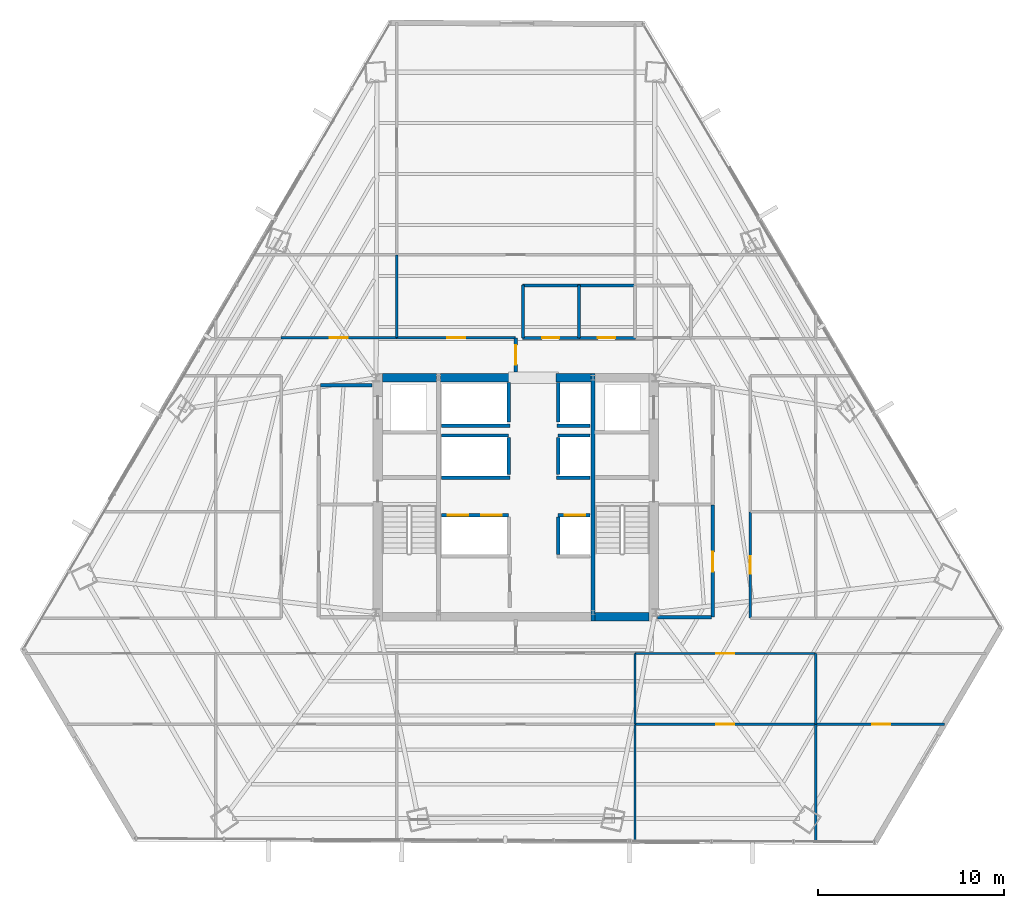
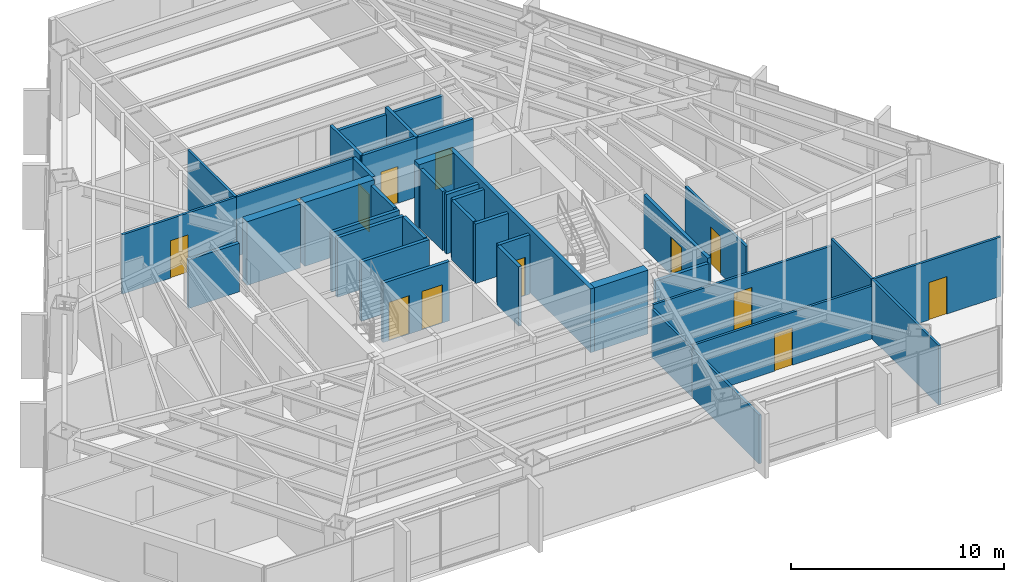
# One storey, part 31 of 37: 39 walls, 13 doors, 13 openings.
"""IFC4 building model written with IfcOpenShell, lengths in metres."""

from ifc_helpers import new_model, si_unit, direction, frame, frame_2d, origin, place, context, subcontext, project, spatial, rectangle, extrude, material, layer, layer_set, type_object, element, fill, save


model = new_model("IFC4")

# Units and contexts
model_context = context("Model", 3, precision=1e-05, world=origin(), true_north=direction((0.0, 1.0)))
body_context = subcontext(model_context, "Body", "Model", "MODEL_VIEW")
ifc_project = project(units=[si_unit("LENGTHUNIT", "METRE"), si_unit("AREAUNIT", "SQUARE_METRE"), si_unit("VOLUMEUNIT", "CUBIC_METRE"), si_unit("PLANEANGLEUNIT", "RADIAN"), si_unit("MASSUNIT", "GRAM", prefix="KILO")], contexts=[model_context])

# Site, building, storey
site_placement = place(None, origin())
site = spatial("IfcSite", under=ifc_project, at=site_placement, CompositionType="ELEMENT")
building_placement = place(site_placement, origin())
building = spatial("IfcBuilding", under=site, at=building_placement, Name="Caelisora Broadcast Tower", CompositionType="ELEMENT")
storey_placement = place(building_placement, frame((0.0, 0.0, 101.75)))
storey = spatial("IfcBuildingStorey", under=building, at=storey_placement, Name="L26", CompositionType="ELEMENT", Elevation=101.75)

# Walls
ifc_material_1 = material(Name="Concrete 50 MPa (AS 3600 S50)", Category="concrete")
ifc_layer_1 = layer(ifc_material_1, 0.449951171875, Name="Concrete 50 MPa (AS 3600 S50)")
ifc_layer_set_1 = layer_set([ifc_layer_1], Name="Concrete 50 MPa (AS 3600 S50)")
wall_type_1 = type_object("IfcWallType", Name="CW5", PredefinedType="SHEAR", material=ifc_layer_set_1)
for number, where, z_axis, x_axis, name in (
    (1, (42.260009765625, 17.175048828125, 0.0), (0.0, 0.0, 1.0), (1.0, 0.0, 0.0), "L26 core shear wall CW5"),
    (2, (30.840087890625, 30.0, 0.0), (0.0, 0.0, 1.0), (1.0, 0.0, 0.0), "L26 core shear wall CW5"),
):
    element("IfcWall", number, at=place(storey_placement, frame(where, z_axis=z_axis, x_axis=x_axis)), inside=storey, type_object=wall_type_1, Name=name, PredefinedType="SHEAR", context=body_context, shape_type="SweptSolid", body=[
        extrude(rectangle(XDim=2.89990234375, YDim=0.449951171875, at=frame_2d((1.449951171875, 0.0))), origin(), (0.0, 0.0, 1.0), 3.64990234375),
    ])
wall_1_placement = place(storey_placement, frame((33.9599609375, 30.0, 0.0), z_axis=(0.0, 0.0, 1.0), x_axis=(1.0, 0.0, 0.0)))
element("IfcWall", 3, at=wall_1_placement, inside=storey, type_object=wall_type_1, Name="L26 core shear wall CW5", PredefinedType="SHEAR", context=body_context, shape_type="SweptSolid", body=[
    extrude(rectangle(XDim=3.780029296875, YDim=0.449951171875, at=frame_2d((1.89013671875, 0.0))), origin(), (0.0, 0.0, 1.0), 3.64990234375),
])
wall_2_placement = place(storey_placement, frame((40.159912109375, 30.0, 0.0), z_axis=(0.0, 0.0, 1.0), x_axis=(1.0, 0.0, 0.0)))
element("IfcWall", 4, at=wall_2_placement, inside=storey, type_object=wall_type_1, Name="L26 core shear wall CW5", PredefinedType="SHEAR", context=body_context, shape_type="SweptSolid", body=[
    extrude(rectangle(XDim=1.880126953125, YDim=0.449951171875, at=frame_2d((0.93994140625, 0.0))), origin(), (0.0, 0.0, 1.0), 3.64990234375),
])
ifc_layer_2 = layer(ifc_material_1, 0.219970703125, Name="Concrete 50 MPa (AS 3600 S50)")
ifc_layer_set_2 = layer_set([ifc_layer_2], Name="Concrete 50 MPa (AS 3600 S50)")
wall_type_2 = type_object("IfcWallType", Name="CW7", PredefinedType="SHEAR", material=ifc_layer_set_2)
wall_3_placement = place(storey_placement, frame((42.14990234375, 16.949951171875, 0.0), z_axis=(0.0, 0.0, 1.0), x_axis=(0.0, 1.0, 0.0)))
element("IfcWall", 5, at=wall_3_placement, inside=storey, type_object=wall_type_2, Name="L26 core shear wall CW7", PredefinedType="SHEAR", context=body_context, shape_type="SweptSolid", body=[
    extrude(rectangle(XDim=13.275146484375, YDim=0.219970703125, at=frame_2d((6.6376953125, 0.0))), origin(), (0.0, 0.0, 1.0), 3.64990234375),
])

# Wall, openings, doors
ifc_material_2 = material(Name="Fire-Rated Gypsum Shaft and Compartment Wall", Category="gypsum")
ifc_layer_3 = layer(ifc_material_2, 0.179931640625, Name="Fire-Rated Gypsum Shaft and Compartment Wall")
ifc_layer_set_3 = layer_set([ifc_layer_3], Name="Fire-Rated Gypsum Shaft and Compartment Wall")
wall_type_3 = type_object("IfcWallType", Name="PW2", PredefinedType="PARTITIONING", material=ifc_layer_set_3)
wall_4_placement = place(storey_placement, frame((34.02001953125, 22.6201171875, 0.0), z_axis=(0.0, 0.0, 1.0), x_axis=(1.0, 0.0, 0.0)))
wall_4 = element("IfcWall", 6, at=wall_4_placement, inside=storey, type_object=wall_type_3, Name="L26 fire compartment wall PW2", PredefinedType="PARTITIONING", context=body_context, shape_type="SweptSolid", body=[
    extrude(rectangle(XDim=3.60009765625, YDim=0.179931640625, at=frame_2d((1.800048828125, 0.0))), origin(), (0.0, 0.0, 1.0), 3.39990234375),
])
opening_1_placement = place(wall_4_placement, frame((0.320068359375, 0.0, 0.0)))
opening_1 = element("IfcOpeningElement", 7, at=opening_1_placement, cuts=wall_4, Name="Opening LD01", PredefinedType="OPENING", context=body_context, shape_type="SweptSolid", body=[
    extrude(rectangle(XDim=1.10009765625, YDim=2.199951171875, at=frame_2d((0.550048828125, 1.10009765625))), frame((0.0, 0.10205078125, 0.0), z_axis=(0.0, -1.0, 0.0), x_axis=(1.0, 0.0, 0.0)), (0.0, 0.0, 1.0), 0.203857421875),
])
opening_2_placement = place(wall_4_placement, frame((2.1201171875, 0.0, 0.0)))
opening_2 = element("IfcOpeningElement", 8, at=opening_2_placement, cuts=wall_4, Name="Opening LD01", PredefinedType="OPENING", context=body_context, shape_type="SweptSolid", body=[
    extrude(rectangle(XDim=1.10009765625, YDim=2.199951171875, at=frame_2d((0.550048828125, 1.10009765625))), frame((0.0, 0.10205078125, 0.0), z_axis=(0.0, -1.0, 0.0), x_axis=(1.0, 0.0, 0.0)), (0.0, 0.0, 1.0), 0.203857421875),
])
ifc_material_3 = material(Name="Stainless Steel Centre-Parting Lift Landing Door", Category="steel")
door_type_1 = type_object("IfcDoorType", Name="LD01", OperationType="NOTDEFINED", PredefinedType="DOOR", material=ifc_material_3)
door_1_placement = place(opening_1_placement, origin())
door_1 = element("IfcDoor", 9, at=door_1_placement, inside=storey, type_object=door_type_1, Name="L26 door LD01 (L26-LD-PLL1)", OperationType="SLIDING_TO_LEFT", OverallHeight=2.199951171875, OverallWidth=1.10009765625, PredefinedType="DOOR", context=body_context, shape_type="SweptSolid", body=[
    extrude(rectangle(XDim=1.10009765625, YDim=2.199951171875, at=frame_2d((0.550048828125, 1.10009765625))), frame((0.0, 0.02490234375, 0.0), z_axis=(0.0, -1.0, 0.0), x_axis=(1.0, 0.0, 0.0)), (0.0, 0.0, 1.0), 0.050048828125),
])
fill(opening_1, door_1)
door_2_placement = place(opening_2_placement, origin())
door_2 = element("IfcDoor", 10, at=door_2_placement, inside=storey, type_object=door_type_1, Name="L26 door LD01 (L26-LD-PLL2)", OperationType="SLIDING_TO_RIGHT", OverallHeight=2.199951171875, OverallWidth=1.10009765625, PredefinedType="DOOR", context=body_context, shape_type="SweptSolid", body=[
    extrude(rectangle(XDim=1.10009765625, YDim=2.199951171875, at=frame_2d((0.550048828125, 1.10009765625))), frame((0.0, 0.02490234375, 0.0), z_axis=(0.0, -1.0, 0.0), x_axis=(1.0, 0.0, 0.0)), (0.0, 0.0, 1.0), 0.050048828125),
])
fill(opening_2, door_2)

# Wall, opening, door
wall_5_placement = place(storey_placement, frame((40.280029296875, 22.6201171875, 0.0), z_axis=(0.0, 0.0, 1.0), x_axis=(1.0, 0.0, 0.0)))
wall_5 = element("IfcWall", 11, at=wall_5_placement, inside=storey, type_object=wall_type_3, Name="L26 fire compartment wall PW2", PredefinedType="PARTITIONING", context=body_context, shape_type="SweptSolid", body=[
    extrude(rectangle(XDim=1.699951171875, YDim=0.179931640625, at=frame_2d((0.85009765625, 0.0))), origin(), (0.0, 0.0, 1.0), 3.39990234375),
])
opening_3_placement = place(wall_5_placement, frame((0.35009765625, 0.0, 0.0)))
opening_3 = element("IfcOpeningElement", 12, at=opening_3_placement, cuts=wall_5, Name="Opening LD01", PredefinedType="OPENING", context=body_context, shape_type="SweptSolid", body=[
    extrude(rectangle(XDim=1.10009765625, YDim=2.199951171875, at=frame_2d((0.550048828125, 1.10009765625))), frame((0.0, 0.10205078125, 0.0), z_axis=(0.0, -1.0, 0.0), x_axis=(1.0, 0.0, 0.0)), (0.0, 0.0, 1.0), 0.203857421875),
])
door_3_placement = place(opening_3_placement, origin())
door_3 = element("IfcDoor", 13, at=door_3_placement, inside=storey, type_object=door_type_1, Name="L26 door LD01 (L26-LD-PLL3)", OperationType="SLIDING_TO_LEFT", OverallHeight=2.199951171875, OverallWidth=1.10009765625, PredefinedType="DOOR", context=body_context, shape_type="SweptSolid", body=[
    extrude(rectangle(XDim=1.10009765625, YDim=2.199951171875, at=frame_2d((0.550048828125, 1.10009765625))), frame((0.0, 0.02490234375, 0.0), z_axis=(0.0, -1.0, 0.0), x_axis=(1.0, 0.0, 0.0)), (0.0, 0.0, 1.0), 0.050048828125),
])
fill(opening_3, door_3)

# Walls
wall_6_placement = place(storey_placement, frame((40.280029296875, 20.52001953125, 0.0), z_axis=(0.0, 0.0, 1.0), x_axis=(0.0, 1.0, 0.0)))
element("IfcWall", 14, at=wall_6_placement, inside=storey, type_object=wall_type_3, Name="L26 fire compartment wall PW2", PredefinedType="PARTITIONING", context=body_context, shape_type="SweptSolid", body=[
    extrude(rectangle(XDim=2.0, YDim=0.179931640625, at=frame_2d((1.0, 0.0))), origin(), (0.0, 0.0, 1.0), 3.39990234375),
])
wall_7_placement = place(storey_placement, frame((34.02001953125, 26.89990234375, 0.0), z_axis=(0.0, 0.0, 1.0), x_axis=(1.0, 0.0, 0.0)))
element("IfcWall", 15, at=wall_7_placement, inside=storey, type_object=wall_type_3, Name="L26 fire compartment wall PW2", PredefinedType="PARTITIONING", context=body_context, shape_type="SweptSolid", body=[
    extrude(rectangle(XDim=3.60009765625, YDim=0.179931640625, at=frame_2d((1.800048828125, 0.0))), origin(), (0.0, 0.0, 1.0), 3.39990234375),
])
wall_8_placement = place(storey_placement, frame((40.280029296875, 26.89990234375, 0.0), z_axis=(0.0, 0.0, 1.0), x_axis=(1.0, 0.0, 0.0)))
element("IfcWall", 16, at=wall_8_placement, inside=storey, type_object=wall_type_3, Name="L26 fire compartment wall PW2", PredefinedType="PARTITIONING", context=body_context, shape_type="SweptSolid", body=[
    extrude(rectangle(XDim=1.699951171875, YDim=0.179931640625, at=frame_2d((0.85009765625, 0.0))), origin(), (0.0, 0.0, 1.0), 3.39990234375),
])
for number, where, z_axis, x_axis, name in (
    (17, (37.6201171875, 24.800048828125, 0.0), (0.0, 0.0, 1.0), (0.0, 1.0, 0.0), "L26 fire compartment wall PW2"),
    (18, (40.280029296875, 24.800048828125, 0.0), (0.0, 0.0, 1.0), (0.0, 1.0, 0.0), "L26 fire compartment wall PW2"),
):
    element("IfcWall", number, at=place(storey_placement, frame(where, z_axis=z_axis, x_axis=x_axis)), inside=storey, type_object=wall_type_3, Name=name, PredefinedType="PARTITIONING", context=body_context, shape_type="SweptSolid", body=[
        extrude(rectangle(XDim=2.0, YDim=0.179931640625, at=frame_2d((1.0, 0.0))), origin(), (0.0, 0.0, 1.0), 3.39990234375),
    ])
wall_9_placement = place(storey_placement, frame((34.02001953125, 24.639892578125, 0.0), z_axis=(0.0, 0.0, 1.0), x_axis=(1.0, 0.0, 0.0)))
element("IfcWall", 19, at=wall_9_placement, inside=storey, type_object=wall_type_3, Name="L26 fire compartment wall PW2", PredefinedType="PARTITIONING", context=body_context, shape_type="SweptSolid", body=[
    extrude(rectangle(XDim=3.679931640625, YDim=0.179931640625, at=frame_2d((1.83984375, 0.0))), origin(), (0.0, 0.0, 1.0), 3.39990234375),
])
wall_10_placement = place(storey_placement, frame((40.199951171875, 24.639892578125, 0.0), z_axis=(0.0, 0.0, 1.0), x_axis=(1.0, 0.0, 0.0)))
element("IfcWall", 20, at=wall_10_placement, inside=storey, type_object=wall_type_3, Name="L26 fire compartment wall PW2", PredefinedType="PARTITIONING", context=body_context, shape_type="SweptSolid", body=[
    extrude(rectangle(XDim=1.780029296875, YDim=0.179931640625, at=frame_2d((0.89013671875, 0.0))), origin(), (0.0, 0.0, 1.0), 3.39990234375),
])
wall_11_placement = place(storey_placement, frame((34.02001953125, 27.419921875, 0.0), z_axis=(0.0, 0.0, 1.0), x_axis=(1.0, 0.0, 0.0)))
element("IfcWall", 21, at=wall_11_placement, inside=storey, type_object=wall_type_3, Name="L26 fire compartment wall PW2", PredefinedType="PARTITIONING", context=body_context, shape_type="SweptSolid", body=[
    extrude(rectangle(XDim=3.659912109375, YDim=0.179931640625, at=frame_2d((1.830078125, 0.0))), origin(), (0.0, 0.0, 1.0), 3.39990234375),
])
wall_12_placement = place(storey_placement, frame((40.219970703125, 27.419921875, 0.0), z_axis=(0.0, 0.0, 1.0), x_axis=(1.0, 0.0, 0.0)))
element("IfcWall", 22, at=wall_12_placement, inside=storey, type_object=wall_type_3, Name="L26 fire compartment wall PW2", PredefinedType="PARTITIONING", context=body_context, shape_type="SweptSolid", body=[
    extrude(rectangle(XDim=1.760009765625, YDim=0.179931640625, at=frame_2d((0.8798828125, 0.0))), origin(), (0.0, 0.0, 1.0), 3.39990234375),
])
for number, where, z_axis, x_axis, name in (
    (23, (37.6201171875, 27.639892578125, 0.0), (0.0, 0.0, 1.0), (0.0, 1.0, 0.0), "L26 fire compartment wall PW2"),
    (24, (40.280029296875, 27.639892578125, 0.0), (0.0, 0.0, 1.0), (0.0, 1.0, 0.0), "L26 fire compartment wall PW2"),
):
    element("IfcWall", number, at=place(storey_placement, frame(where, z_axis=z_axis, x_axis=x_axis)), inside=storey, type_object=wall_type_3, Name=name, PredefinedType="PARTITIONING", context=body_context, shape_type="SweptSolid", body=[
        extrude(rectangle(XDim=2.110107421875, YDim=0.179931640625, at=frame_2d((1.05517578125, 0.0))), origin(), (0.0, 0.0, 1.0), 3.39990234375),
    ])
wall_13_placement = place(storey_placement, frame((27.52001953125, 29.60009765625, 0.0), z_axis=(0.0, 0.0, 1.0), x_axis=(1.0, 0.0, 0.0)))
element("IfcWall", 25, at=wall_13_placement, inside=storey, type_object=wall_type_3, Name="L26 fire compartment wall PW2", PredefinedType="PARTITIONING", context=body_context, shape_type="SweptSolid", body=[
    extrude(rectangle(XDim=2.760009765625, YDim=0.179931640625, at=frame_2d((1.3798828125, 0.0))), origin(), (0.0, 0.0, 1.0), 2.78271484375),
])

# Wall, opening, door
wall_14_placement = place(storey_placement, frame((48.580078125, 17.14990234375, 0.0), z_axis=(0.0, 0.0, 1.0), x_axis=(0.0, 1.0, 0.0)))
wall_14 = element("IfcWall", 26, at=wall_14_placement, inside=storey, type_object=wall_type_3, Name="L26 fire compartment wall PW2", PredefinedType="PARTITIONING", context=body_context, shape_type="SweptSolid", body=[
    extrude(rectangle(XDim=6.030029296875, YDim=0.179931640625, at=frame_2d((3.01513671875, 0.0))), origin(), (0.0, 0.0, 1.0), 3.0263671875),
])
opening_4_placement = place(wall_14_placement, frame((2.449951171875, 0.0, 0.0)))
opening_4 = element("IfcOpeningElement", 27, at=opening_4_placement, cuts=wall_14, Name="Opening FD02", PredefinedType="OPENING", context=body_context, shape_type="SweptSolid", body=[
    extrude(rectangle(XDim=1.050048828125, YDim=2.14990234375, at=frame_2d((0.52490234375, 1.074951171875))), frame((0.0, 0.10205078125, 0.0), z_axis=(0.0, -1.0, 0.0), x_axis=(1.0, 0.0, 0.0)), (0.0, 0.0, 1.0), 0.203857421875),
])
ifc_material_4 = material(Name="Single-Leaf Steel Fire Lobby Door", Category="steel")
door_type_2 = type_object("IfcDoorType", Name="FD02", OperationType="NOTDEFINED", PredefinedType="DOOR", material=ifc_material_4)
door_4_placement = place(opening_4_placement, origin())
door_4 = element("IfcDoor", 28, at=door_4_placement, inside=storey, type_object=door_type_2, Name="L26 door FD02 (L26-DR-P14D1)", OperationType="SINGLE_SWING_LEFT", OverallHeight=2.14990234375, OverallWidth=1.050048828125, PredefinedType="DOOR", context=body_context, shape_type="SweptSolid", body=[
    extrude(rectangle(XDim=1.050048828125, YDim=2.14990234375, at=frame_2d((0.52490234375, 1.074951171875))), frame((0.0, 0.02490234375, 0.0), z_axis=(0.0, -1.0, 0.0), x_axis=(1.0, 0.0, 0.0)), (0.0, 0.0, 1.0), 0.050048828125),
])
fill(opening_4, door_4)

# Wall
wall_15_placement = place(storey_placement, frame((45.6201171875, 17.14990234375, 0.0), z_axis=(0.0, 0.0, 1.0), x_axis=(1.0, 0.0, 0.0)))
element("IfcWall", 29, at=wall_15_placement, inside=storey, type_object=wall_type_3, Name="L26 fire compartment wall PW2", PredefinedType="PARTITIONING", context=body_context, shape_type="SweptSolid", body=[
    extrude(rectangle(XDim=2.89990234375, YDim=0.179931640625, at=frame_2d((1.449951171875, 0.0))), origin(), (0.0, 0.0, 1.0), 2.78271484375),
])

# Wall, opening, door
wall_16_placement = place(storey_placement, frame((38.0, 30.320068359375, 0.0), z_axis=(0.0, 0.0, 1.0), x_axis=(0.0, 1.0, 0.0)))
wall_16 = element("IfcWall", 30, at=wall_16_placement, inside=storey, type_object=wall_type_3, Name="L26 fire compartment wall PW2", PredefinedType="PARTITIONING", context=body_context, shape_type="SweptSolid", body=[
    extrude(rectangle(XDim=1.824951171875, YDim=0.179931640625, at=frame_2d((0.91259765625, 0.0))), origin(), (0.0, 0.0, 1.0), 3.39990234375),
])
opening_5_placement = place(wall_16_placement, frame((0.387939453125, 0.0, 0.0)))
opening_5 = element("IfcOpeningElement", 31, at=opening_5_placement, cuts=wall_16, Name="Opening FD02", PredefinedType="OPENING", context=body_context, shape_type="SweptSolid", body=[
    extrude(rectangle(XDim=1.050048828125, YDim=2.14990234375, at=frame_2d((0.52490234375, 1.074951171875))), frame((0.0, 0.10205078125, 0.0), z_axis=(0.0, -1.0, 0.0), x_axis=(1.0, 0.0, 0.0)), (0.0, 0.0, 1.0), 0.203857421875),
])
door_5_placement = place(opening_5_placement, origin())
door_5 = element("IfcDoor", 32, at=door_5_placement, inside=storey, type_object=door_type_2, Name="L26 door FD02 (L26-DR-P77D1)", OperationType="SINGLE_SWING_RIGHT", OverallHeight=2.14990234375, OverallWidth=1.050048828125, PredefinedType="DOOR", context=body_context, shape_type="SweptSolid", body=[
    extrude(rectangle(XDim=1.050048828125, YDim=2.14990234375, at=frame_2d((0.52490234375, 1.074951171875))), frame((0.0, 0.02490234375, 0.0), z_axis=(0.0, -1.0, 0.0), x_axis=(1.0, 0.0, 0.0)), (0.0, 0.0, 1.0), 0.050048828125),
])
fill(opening_5, door_5)

ifc_material_5 = material(Name="Acoustic Steel-Stud Plasterboard Partition", Category="gypsum")
ifc_layer_4 = layer(ifc_material_5, 0.1298828125, Name="Acoustic Steel-Stud Plasterboard Partition")
ifc_layer_set_4 = layer_set([ifc_layer_4], Name="Acoustic Steel-Stud Plasterboard Partition")
wall_type_4 = type_object("IfcWallType", Name="PW3", PredefinedType="PARTITIONING", material=ifc_layer_set_4)
wall_17_placement = place(storey_placement, frame((44.405029296875, 15.199951171875, 0.0), z_axis=(0.0, 0.0, 1.0), x_axis=(1.0, 0.0, 0.0)))
wall_17 = element("IfcWall", 33, at=wall_17_placement, inside=storey, type_object=wall_type_4, Name="L26 internal partition PW3", PredefinedType="PARTITIONING", context=body_context, shape_type="SweptSolid", body=[
    extrude(rectangle(XDim=9.68994140625, YDim=0.1298828125, at=frame_2d((4.844970703125, 0.0))), origin(), (0.0, 0.0, 1.0), 3.0263671875),
])
opening_6_placement = place(wall_17_placement, frame((4.364990234375, 0.0, 0.0)))
opening_6 = element("IfcOpeningElement", 34, at=opening_6_placement, cuts=wall_17, Name="Opening D01", PredefinedType="OPENING", context=body_context, shape_type="SweptSolid", body=[
    extrude(rectangle(XDim=0.9599609375, YDim=2.14990234375, at=frame_2d((0.47998046875, 1.074951171875))), frame((0.0, 0.076904296875, 0.0), z_axis=(0.0, -1.0, 0.0), x_axis=(1.0, 0.0, 0.0)), (0.0, 0.0, 1.0), 0.15380859375),
])
ifc_material_6 = material(Name="Solid-Core Timber Acoustic Office Door", Category="wood")
door_type_3 = type_object("IfcDoorType", Name="D01", OperationType="NOTDEFINED", PredefinedType="DOOR", material=ifc_material_6)
door_6_placement = place(opening_6_placement, origin())
door_6 = element("IfcDoor", 35, at=door_6_placement, inside=storey, type_object=door_type_3, Name="L26 door D01 (L26-DR-P33D1)", OperationType="SINGLE_SWING_LEFT", OverallHeight=2.14990234375, OverallWidth=0.9599609375, PredefinedType="DOOR", context=body_context, shape_type="SweptSolid", body=[
    extrude(rectangle(XDim=0.9599609375, YDim=2.14990234375, at=frame_2d((0.47998046875, 1.074951171875))), frame((0.0, 0.02490234375, 0.0), z_axis=(0.0, -1.0, 0.0), x_axis=(1.0, 0.0, 0.0)), (0.0, 0.0, 1.0), 0.050048828125),
])
fill(opening_6, door_6)

wall_18_placement = place(storey_placement, frame((44.405029296875, 11.39990234375, 0.0), z_axis=(0.0, 0.0, 1.0), x_axis=(1.0, 0.0, 0.0)))
wall_18 = element("IfcWall", 36, at=wall_18_placement, inside=storey, type_object=wall_type_4, Name="L26 internal partition PW3", PredefinedType="PARTITIONING", context=body_context, shape_type="SweptSolid", body=[
    extrude(rectangle(XDim=9.68994140625, YDim=0.1298828125, at=frame_2d((4.844970703125, 0.0))), origin(), (0.0, 0.0, 1.0), 3.0263671875),
])
opening_7_placement = place(wall_18_placement, frame((4.364990234375, 0.0, 0.0)))
opening_7 = element("IfcOpeningElement", 37, at=opening_7_placement, cuts=wall_18, Name="Opening D01", PredefinedType="OPENING", context=body_context, shape_type="SweptSolid", body=[
    extrude(rectangle(XDim=0.9599609375, YDim=2.14990234375, at=frame_2d((0.47998046875, 1.074951171875))), frame((0.0, 0.076904296875, 0.0), z_axis=(0.0, -1.0, 0.0), x_axis=(1.0, 0.0, 0.0)), (0.0, 0.0, 1.0), 0.15380859375),
])
door_7_placement = place(opening_7_placement, origin())
door_7 = element("IfcDoor", 38, at=door_7_placement, inside=storey, type_object=door_type_3, Name="L26 door D01 (L26-DR-P35D1)", OperationType="SINGLE_SWING_LEFT", OverallHeight=2.14990234375, OverallWidth=0.9599609375, PredefinedType="DOOR", context=body_context, shape_type="SweptSolid", body=[
    extrude(rectangle(XDim=0.9599609375, YDim=2.14990234375, at=frame_2d((0.47998046875, 1.074951171875))), frame((0.0, 0.02490234375, 0.0), z_axis=(0.0, -1.0, 0.0), x_axis=(1.0, 0.0, 0.0)), (0.0, 0.0, 1.0), 0.050048828125),
])
fill(opening_7, door_7)

wall_19_placement = place(storey_placement, frame((54.10498046875, 11.39990234375, 0.0), z_axis=(0.0, 0.0, 1.0), x_axis=(1.0, 0.0, 0.0)))
wall_19 = element("IfcWall", 39, at=wall_19_placement, inside=storey, type_object=wall_type_4, Name="L26 internal partition PW3", PredefinedType="PARTITIONING", context=body_context, shape_type="SweptSolid", body=[
    extrude(rectangle(XDim=6.9111328125, YDim=0.1298828125, at=frame_2d((3.45556640625, 0.0))), origin(), (0.0, 0.0, 1.0), 3.39990234375),
])
opening_8_placement = place(wall_19_placement, frame((3.032958984375, 0.0, 0.0)))
opening_8 = element("IfcOpeningElement", 40, at=opening_8_placement, cuts=wall_19, Name="Opening D01", PredefinedType="OPENING", context=body_context, shape_type="SweptSolid", body=[
    extrude(rectangle(XDim=0.9599609375, YDim=2.14990234375, at=frame_2d((0.47998046875, 1.074951171875))), frame((0.0, 0.076904296875, 0.0), z_axis=(0.0, -1.0, 0.0), x_axis=(1.0, 0.0, 0.0)), (0.0, 0.0, 1.0), 0.15380859375),
])
door_8_placement = place(opening_8_placement, origin())
door_8 = element("IfcDoor", 41, at=door_8_placement, inside=storey, type_object=door_type_3, Name="L26 door D01 (L26-DR-P45D1)", OperationType="SINGLE_SWING_RIGHT", OverallHeight=2.14990234375, OverallWidth=0.9599609375, PredefinedType="DOOR", context=body_context, shape_type="SweptSolid", body=[
    extrude(rectangle(XDim=0.9599609375, YDim=2.14990234375, at=frame_2d((0.47998046875, 1.074951171875))), frame((0.0, 0.02490234375, 0.0), z_axis=(0.0, -1.0, 0.0), x_axis=(1.0, 0.0, 0.0)), (0.0, 0.0, 1.0), 0.050048828125),
])
fill(opening_8, door_8)

# Wall
wall_20_placement = place(storey_placement, frame((54.10009765625, 5.091064453125, 0.0), z_axis=(0.0, 0.0, 1.0), x_axis=(0.0, 1.0, 0.0)))
element("IfcWall", 42, at=wall_20_placement, inside=storey, type_object=wall_type_4, Name="L26 internal partition PW3", PredefinedType="PARTITIONING", context=body_context, shape_type="SweptSolid", body=[
    extrude(rectangle(XDim=6.303955078125, YDim=0.1298828125, at=frame_2d((3.15185546875, 0.0))), origin(), (0.0, 0.0, 1.0), 3.39990234375),
])

# Wall, opening, door
wall_21_placement = place(storey_placement, frame((31.60498046875, 32.14990234375, 0.0), z_axis=(0.0, 0.0, 1.0), x_axis=(1.0, 0.0, 0.0)))
wall_21 = element("IfcWall", 43, at=wall_21_placement, inside=storey, type_object=wall_type_4, Name="L26 internal partition PW3", PredefinedType="PARTITIONING", context=body_context, shape_type="SweptSolid", body=[
    extrude(rectangle(XDim=6.39013671875, YDim=0.1298828125, at=frame_2d((3.195068359375, 0.0))), origin(), (0.0, 0.0, 1.0), 3.39990234375),
])
opening_9_placement = place(wall_21_placement, frame((2.715087890625, 0.0, 0.0)))
opening_9 = element("IfcOpeningElement", 44, at=opening_9_placement, cuts=wall_21, Name="Opening D01", PredefinedType="OPENING", context=body_context, shape_type="SweptSolid", body=[
    extrude(rectangle(XDim=0.9599609375, YDim=2.14990234375, at=frame_2d((0.47998046875, 1.074951171875))), frame((0.0, 0.076904296875, 0.0), z_axis=(0.0, -1.0, 0.0), x_axis=(1.0, 0.0, 0.0)), (0.0, 0.0, 1.0), 0.15380859375),
])
door_9_placement = place(opening_9_placement, origin())
door_9 = element("IfcDoor", 45, at=door_9_placement, inside=storey, type_object=door_type_3, Name="L26 door D01 (L26-DR-P47D1)", OperationType="SINGLE_SWING_LEFT", OverallHeight=2.14990234375, OverallWidth=0.9599609375, PredefinedType="DOOR", context=body_context, shape_type="SweptSolid", body=[
    extrude(rectangle(XDim=0.9599609375, YDim=2.14990234375, at=frame_2d((0.47998046875, 1.074951171875))), frame((0.0, 0.02490234375, 0.0), z_axis=(0.0, -1.0, 0.0), x_axis=(1.0, 0.0, 0.0)), (0.0, 0.0, 1.0), 0.050048828125),
])
fill(opening_9, door_9)

# Wall
wall_22_placement = place(storey_placement, frame((44.39990234375, 5.13525390625, 0.0), z_axis=(0.0, 0.0, 1.0), x_axis=(0.0, 1.0, 0.0)))
element("IfcWall", 46, at=wall_22_placement, inside=storey, type_object=wall_type_4, Name="L26 internal partition PW3", PredefinedType="PARTITIONING", context=body_context, shape_type="SweptSolid", body=[
    extrude(rectangle(XDim=6.259765625, YDim=0.1298828125, at=frame_2d((3.1298828125, 0.0))), origin(), (0.0, 0.0, 1.0), 2.78271484375),
])

# Wall, opening, door
wall_23_placement = place(storey_placement, frame((25.405029296875, 32.14990234375, 0.0), z_axis=(0.0, 0.0, 1.0), x_axis=(1.0, 0.0, 0.0)))
wall_23 = element("IfcWall", 47, at=wall_23_placement, inside=storey, type_object=wall_type_4, Name="L26 internal partition PW3", PredefinedType="PARTITIONING", context=body_context, shape_type="SweptSolid", body=[
    extrude(rectangle(XDim=6.18994140625, YDim=0.1298828125, at=frame_2d((3.094970703125, 0.0))), origin(), (0.0, 0.0, 1.0), 3.39990234375),
])
opening_10_placement = place(wall_23_placement, frame((2.614990234375, 0.0, 0.0)))
opening_10 = element("IfcOpeningElement", 48, at=opening_10_placement, cuts=wall_23, Name="Opening D01", PredefinedType="OPENING", context=body_context, shape_type="SweptSolid", body=[
    extrude(rectangle(XDim=0.9599609375, YDim=2.14990234375, at=frame_2d((0.47998046875, 1.074951171875))), frame((0.0, 0.076904296875, 0.0), z_axis=(0.0, -1.0, 0.0), x_axis=(1.0, 0.0, 0.0)), (0.0, 0.0, 1.0), 0.15380859375),
])
door_10_placement = place(opening_10_placement, origin())
door_10 = element("IfcDoor", 49, at=door_10_placement, inside=storey, type_object=door_type_3, Name="L26 door D01 (L26-DR-P54D1)", OperationType="SINGLE_SWING_LEFT", OverallHeight=2.14990234375, OverallWidth=0.9599609375, PredefinedType="DOOR", context=body_context, shape_type="SweptSolid", body=[
    extrude(rectangle(XDim=0.9599609375, YDim=2.14990234375, at=frame_2d((0.47998046875, 1.074951171875))), frame((0.0, 0.02490234375, 0.0), z_axis=(0.0, -1.0, 0.0), x_axis=(1.0, 0.0, 0.0)), (0.0, 0.0, 1.0), 0.050048828125),
])
fill(opening_10, door_10)

wall_24_placement = place(storey_placement, frame((50.60009765625, 17.10498046875, 0.0), z_axis=(0.0, 0.0, 1.0), x_axis=(0.0, 1.0, 0.0)))
wall_24 = element("IfcWall", 50, at=wall_24_placement, inside=storey, type_object=wall_type_4, Name="L26 internal partition PW3", PredefinedType="PARTITIONING", context=body_context, shape_type="SweptSolid", body=[
    extrude(rectangle(XDim=5.68994140625, YDim=0.1298828125, at=frame_2d((2.844970703125, 0.0))), origin(), (0.0, 0.0, 1.0), 3.0263671875),
])
opening_11_placement = place(wall_24_placement, frame((2.364990234375, 0.0, 0.0)))
opening_11 = element("IfcOpeningElement", 51, at=opening_11_placement, cuts=wall_24, Name="Opening D01", PredefinedType="OPENING", context=body_context, shape_type="SweptSolid", body=[
    extrude(rectangle(XDim=0.9599609375, YDim=2.14990234375, at=frame_2d((0.47998046875, 1.074951171875))), frame((0.0, 0.076904296875, 0.0), z_axis=(0.0, -1.0, 0.0), x_axis=(1.0, 0.0, 0.0)), (0.0, 0.0, 1.0), 0.15380859375),
])
door_11_placement = place(opening_11_placement, origin())
door_11 = element("IfcDoor", 52, at=door_11_placement, inside=storey, type_object=door_type_3, Name="L26 door D01 (L26-DR-P57D1)", OperationType="SINGLE_SWING_LEFT", OverallHeight=2.14990234375, OverallWidth=0.9599609375, PredefinedType="DOOR", context=body_context, shape_type="SweptSolid", body=[
    extrude(rectangle(XDim=0.9599609375, YDim=2.14990234375, at=frame_2d((0.47998046875, 1.074951171875))), frame((0.0, 0.02490234375, 0.0), z_axis=(0.0, -1.0, 0.0), x_axis=(1.0, 0.0, 0.0)), (0.0, 0.0, 1.0), 0.050048828125),
])
fill(opening_11, door_11)

# Walls
wall_25_placement = place(storey_placement, frame((31.60009765625, 32.155029296875, 0.0), z_axis=(0.0, 0.0, 1.0), x_axis=(0.0, 1.0, 0.0)))
element("IfcWall", 53, at=wall_25_placement, inside=storey, type_object=wall_type_4, Name="L26 internal partition PW3", PredefinedType="PARTITIONING", context=body_context, shape_type="SweptSolid", body=[
    extrude(rectangle(XDim=4.43994140625, YDim=0.1298828125, at=frame_2d((2.219970703125, 0.0))), origin(), (0.0, 0.0, 1.0), 3.39990234375),
])
wall_26_placement = place(storey_placement, frame((44.39990234375, 11.405029296875, 0.0), z_axis=(0.0, 0.0, 1.0), x_axis=(0.0, 1.0, 0.0)))
element("IfcWall", 54, at=wall_26_placement, inside=storey, type_object=wall_type_4, Name="L26 internal partition PW3", PredefinedType="PARTITIONING", context=body_context, shape_type="SweptSolid", body=[
    extrude(rectangle(XDim=3.7900390625, YDim=0.1298828125, at=frame_2d((1.89501953125, 0.0))), origin(), (0.0, 0.0, 1.0), 2.78271484375),
])
wall_27_placement = place(storey_placement, frame((54.10009765625, 11.405029296875, 0.0), z_axis=(0.0, 0.0, 1.0), x_axis=(0.0, 1.0, 0.0)))
element("IfcWall", 55, at=wall_27_placement, inside=storey, type_object=wall_type_4, Name="L26 internal partition PW3", PredefinedType="PARTITIONING", context=body_context, shape_type="SweptSolid", body=[
    extrude(rectangle(XDim=3.7900390625, YDim=0.1298828125, at=frame_2d((1.89501953125, 0.0))), origin(), (0.0, 0.0, 1.0), 3.39990234375),
])

# Wall, opening, door
ifc_material_7 = material(Name="Moisture-Resistant Wet Plumbing Service Wall", Category="gypsum")
ifc_layer_5 = layer(ifc_material_7, 0.159912109375, Name="Moisture-Resistant Wet Plumbing Service Wall")
ifc_layer_set_5 = layer_set([ifc_layer_5], Name="Moisture-Resistant Wet Plumbing Service Wall")
wall_type_5 = type_object("IfcWallType", Name="PW4", PredefinedType="PLUMBINGWALL", material=ifc_layer_set_5)
wall_28_placement = place(storey_placement, frame((38.375, 32.14990234375, 0.0), z_axis=(0.0, 0.0, 1.0), x_axis=(1.0, 0.0, 0.0)))
wall_28 = element("IfcWall", 56, at=wall_28_placement, inside=storey, type_object=wall_type_5, Name="L26 wet plumbing wall PW4", PredefinedType="PLUMBINGWALL", context=body_context, shape_type="SweptSolid", body=[
    extrude(rectangle(XDim=3.050048828125, YDim=0.159912109375, at=frame_2d((1.52490234375, 0.0))), origin(), (0.0, 0.0, 1.0), 3.39990234375),
])
opening_12_placement = place(wall_28_placement, frame((1.034912109375, 0.0, 0.0)))
opening_12 = element("IfcOpeningElement", 57, at=opening_12_placement, cuts=wall_28, Name="Opening D03", PredefinedType="OPENING", context=body_context, shape_type="SweptSolid", body=[
    extrude(rectangle(XDim=0.919921875, YDim=2.10009765625, at=frame_2d((0.4599609375, 1.050048828125))), frame((0.0, 0.092041015625, 0.0), z_axis=(0.0, -1.0, 0.0), x_axis=(1.0, 0.0, 0.0)), (0.0, 0.0, 1.0), 0.183837890625),
])
ifc_material_8 = material(Name="Laminate Moisture-Resistant Amenity WC Door", Category="wood")
door_type_4 = type_object("IfcDoorType", Name="D03", OperationType="NOTDEFINED", PredefinedType="DOOR", material=ifc_material_8)
door_12_placement = place(opening_12_placement, origin())
door_12 = element("IfcDoor", 58, at=door_12_placement, inside=storey, type_object=door_type_4, Name="L26 door D03 (L26-DR-P16D1)", OperationType="SINGLE_SWING_RIGHT", OverallHeight=2.10009765625, OverallWidth=0.919921875, PredefinedType="DOOR", context=body_context, shape_type="SweptSolid", body=[
    extrude(rectangle(XDim=0.919921875, YDim=2.10009765625, at=frame_2d((0.4599609375, 1.050048828125))), frame((0.0, 0.02490234375, 0.0), z_axis=(0.0, -1.0, 0.0), x_axis=(1.0, 0.0, 0.0)), (0.0, 0.0, 1.0), 0.050048828125),
])
fill(opening_12, door_12)

wall_29_placement = place(storey_placement, frame((41.375, 32.14990234375, 0.0), z_axis=(0.0, 0.0, 1.0), x_axis=(1.0, 0.0, 0.0)))
wall_29 = element("IfcWall", 59, at=wall_29_placement, inside=storey, type_object=wall_type_5, Name="L26 wet plumbing wall PW4", PredefinedType="PLUMBINGWALL", context=body_context, shape_type="SweptSolid", body=[
    extrude(rectangle(XDim=3.050048828125, YDim=0.159912109375, at=frame_2d((1.52490234375, 0.0))), origin(), (0.0, 0.0, 1.0), 3.39990234375),
])
opening_13_placement = place(wall_29_placement, frame((1.034912109375, 0.0, 0.0)))
opening_13 = element("IfcOpeningElement", 60, at=opening_13_placement, cuts=wall_29, Name="Opening D03", PredefinedType="OPENING", context=body_context, shape_type="SweptSolid", body=[
    extrude(rectangle(XDim=0.919921875, YDim=2.10009765625, at=frame_2d((0.4599609375, 1.050048828125))), frame((0.0, 0.092041015625, 0.0), z_axis=(0.0, -1.0, 0.0), x_axis=(1.0, 0.0, 0.0)), (0.0, 0.0, 1.0), 0.183837890625),
])
door_13_placement = place(opening_13_placement, origin())
door_13 = element("IfcDoor", 61, at=door_13_placement, inside=storey, type_object=door_type_4, Name="L26 door D03 (L26-DR-P17D1)", OperationType="SINGLE_SWING_LEFT", OverallHeight=2.10009765625, OverallWidth=0.919921875, PredefinedType="DOOR", context=body_context, shape_type="SweptSolid", body=[
    extrude(rectangle(XDim=0.919921875, YDim=2.10009765625, at=frame_2d((0.4599609375, 1.050048828125))), frame((0.0, 0.02490234375, 0.0), z_axis=(0.0, -1.0, 0.0), x_axis=(1.0, 0.0, 0.0)), (0.0, 0.0, 1.0), 0.050048828125),
])
fill(opening_13, door_13)

# Walls
for number, where, z_axis, x_axis, name in (
    (62, (38.375, 34.949951171875, 0.0), (0.0, 0.0, 1.0), (1.0, 0.0, 0.0), "L26 wet plumbing wall PW4"),
    (63, (41.375, 34.949951171875, 0.0), (0.0, 0.0, 1.0), (1.0, 0.0, 0.0), "L26 wet plumbing wall PW4"),
):
    element("IfcWall", number, at=place(storey_placement, frame(where, z_axis=z_axis, x_axis=x_axis)), inside=storey, type_object=wall_type_5, Name=name, PredefinedType="PLUMBINGWALL", context=body_context, shape_type="SweptSolid", body=[
        extrude(rectangle(XDim=3.050048828125, YDim=0.159912109375, at=frame_2d((1.52490234375, 0.0))), origin(), (0.0, 0.0, 1.0), 3.0263671875),
    ])
for number, where, z_axis, x_axis, name in (
    (64, (41.39990234375, 32.125, 0.0), (0.0, 0.0, 1.0), (0.0, 1.0, 0.0), "L26 wet plumbing wall PW4"),
    (65, (38.39990234375, 32.125, 0.0), (0.0, 0.0, 1.0), (0.0, 1.0, 0.0), "L26 wet plumbing wall PW4"),
):
    element("IfcWall", number, at=place(storey_placement, frame(where, z_axis=z_axis, x_axis=x_axis)), inside=storey, type_object=wall_type_5, Name=name, PredefinedType="PLUMBINGWALL", context=body_context, shape_type="SweptSolid", body=[
        extrude(rectangle(XDim=2.85009765625, YDim=0.159912109375, at=frame_2d((1.425048828125, 0.0))), origin(), (0.0, 0.0, 1.0), 3.39990234375),
    ])

save(model, "model.ifc")
